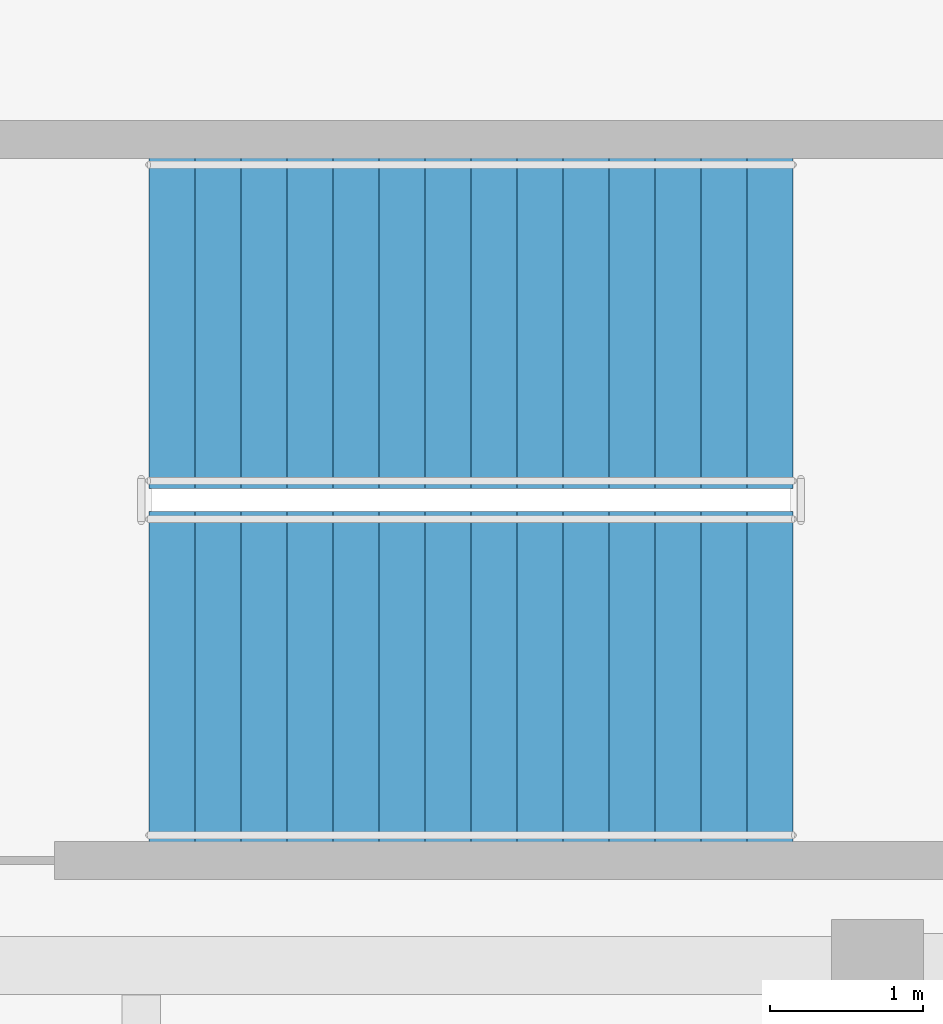
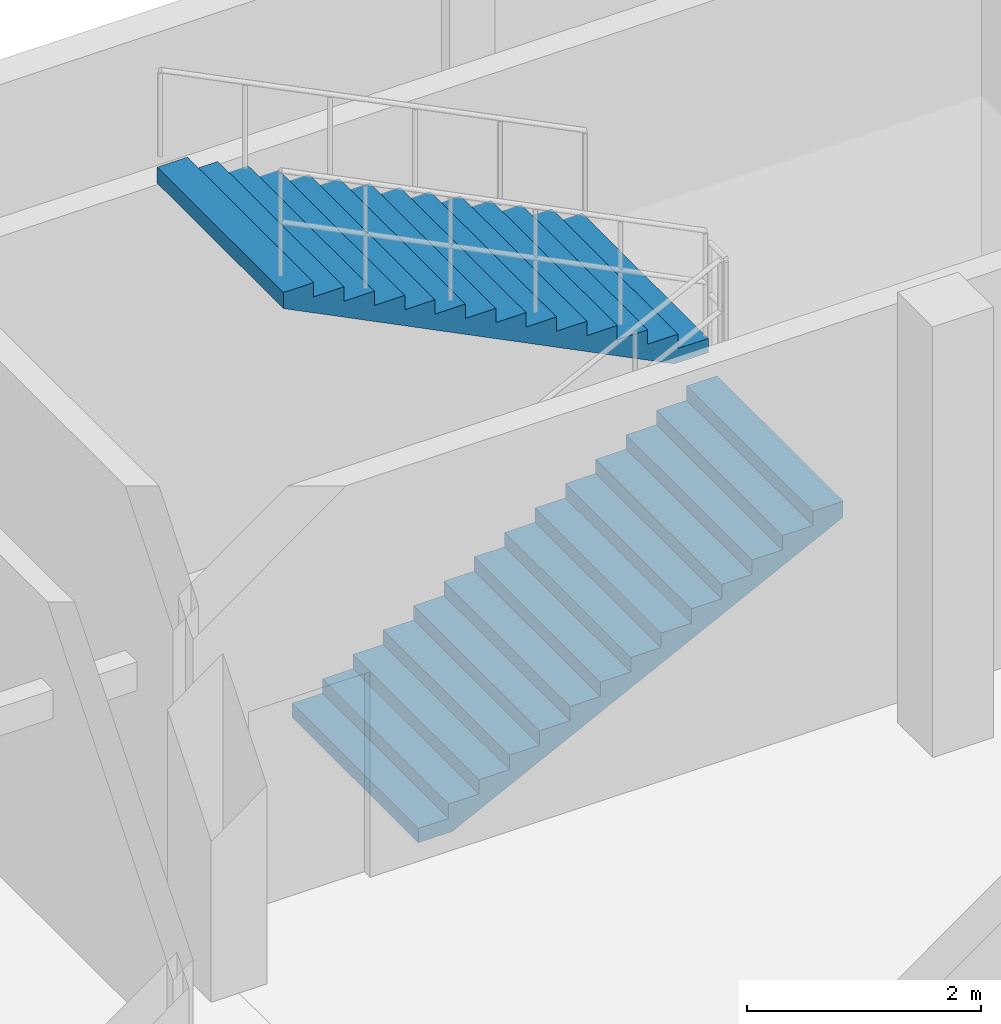
# One storey, part 36 of 41: 2 stair flights, 1 element without a shape of its own.
"""IFC4 building model written with IfcOpenShell, lengths in metres."""

from ifc_helpers import new_model, si_unit, direction, frame, origin, place, context, subcontext, project, spatial, polyline, outline, extrude, material, type_object, element, aggregate, save


model = new_model("IFC4")

# Units and contexts
model_context = context("Model", 3, precision=1e-05, world=origin(), true_north=direction((0.0, 1.0)))
body_context = subcontext(model_context, "Body", "Model", "MODEL_VIEW")
ifc_project = project(units=[si_unit("LENGTHUNIT", "METRE"), si_unit("AREAUNIT", "SQUARE_METRE"), si_unit("VOLUMEUNIT", "CUBIC_METRE"), si_unit("PLANEANGLEUNIT", "RADIAN"), si_unit("MASSUNIT", "GRAM", prefix="KILO")], contexts=[model_context])

# Site, building, storey
site_placement = place(None, origin())
site = spatial("IfcSite", under=ifc_project, at=site_placement, CompositionType="ELEMENT")
building_placement = place(site_placement, origin())
building = spatial("IfcBuilding", under=site, at=building_placement, Name="Kalluvel Institute of Natural Sciences", CompositionType="ELEMENT")
storey_placement = place(building_placement, frame((0.0, 0.0, 32.39990234375)))
storey = spatial("IfcBuildingStorey", under=building, at=storey_placement, Name="L07", CompositionType="ELEMENT", Elevation=32.39990234375)

# Stair, stair flights
ifc_material = material(Name="Concrete M40", Category="concrete")
stair_type = type_object("IfcStairType", Name="STR-ST12-45", PredefinedType="HALF_TURN_STAIR", material=ifc_material)
stair_placement = place(storey_placement, origin())
stair = element("IfcStair", 1, at=stair_placement, inside=storey, type_object=stair_type, Name="L07 Wet Wing East Protected Exit Stair ST2", PredefinedType="HALF_TURN_STAIR")
stair_flight_type = type_object("IfcStairFlightType", Name="STF-ST12-45", PredefinedType="STRAIGHT", material=ifc_material)
stair_flight_1_placement = place(storey_placement, frame((66.85009765625, 121.47998046875, 0.0), z_axis=(0.0, 0.0, 1.0), x_axis=(1.0, 0.0, 0.0)))
stair_flight_1 = element("IfcStairFlight", 2, at=stair_flight_1_placement, type_object=stair_flight_type, Name="S1-45 flight 1", NumberOfRisers=15, NumberOfTreads=14, PredefinedType="STRAIGHT", RiserHeight=0.15, TreadLength=0.3, context=body_context, shape_type="SweptSolid", body=[
    extrude(outline(polyline([(0.0, 0.0), (0.0, 0.14990234375), (0.300048828125, 0.14990234375), (0.300048828125, 0.300048828125), (0.60009765625, 0.300048828125), (0.60009765625, 0.449951171875), (0.89990234375, 0.449951171875), (0.89990234375, 0.60009765625), (1.199951171875, 0.60009765625), (1.199951171875, 0.75), (1.5, 0.75), (1.5, 0.89990234375), (1.800048828125, 0.89990234375), (1.800048828125, 1.050048828125), (2.10009765625, 1.050048828125), (2.10009765625, 1.199951171875), (2.39990234375, 1.199951171875), (2.39990234375, 1.35009765625), (2.699951171875, 1.35009765625), (2.699951171875, 1.5), (3.0, 1.5), (3.0, 1.64990234375), (3.300048828125, 1.64990234375), (3.300048828125, 1.800048828125), (3.60009765625, 1.800048828125), (3.60009765625, 1.949951171875), (3.89990234375, 1.949951171875), (3.89990234375, 2.10009765625), (4.199951171875, 2.10009765625), (4.199951171875, 2.25), (4.199951171875, 1.932373046875), (0.335205078125, 0.0), (0.0, 0.0)])), frame((0.0, 1.080078125, 0.0), z_axis=(0.0, -1.0, 0.0), x_axis=(1.0, 0.0, 0.0)), (0.0, 0.0, 1.0), 2.159912109375),
])
stair_flight_2_placement = place(storey_placement, frame((71.050048828125, 123.7900390625, 2.25), z_axis=(0.0, 0.0, 1.0), x_axis=(-1.0, 0.0, 0.0)))
stair_flight_2 = element("IfcStairFlight", 3, at=stair_flight_2_placement, type_object=stair_flight_type, Name="S1-45 flight 2", NumberOfRisers=15, NumberOfTreads=14, PredefinedType="STRAIGHT", RiserHeight=0.15, TreadLength=0.3, context=body_context, shape_type="SweptSolid", body=[
    extrude(outline(polyline([(0.0, 0.0), (0.0, 0.14990234375), (0.300048828125, 0.14990234375), (0.300048828125, 0.300048828125), (0.60009765625, 0.300048828125), (0.60009765625, 0.449951171875), (0.89990234375, 0.449951171875), (0.89990234375, 0.60009765625), (1.199951171875, 0.60009765625), (1.199951171875, 0.75), (1.5, 0.75), (1.5, 0.89990234375), (1.800048828125, 0.89990234375), (1.800048828125, 1.050048828125), (2.10009765625, 1.050048828125), (2.10009765625, 1.199951171875), (2.39990234375, 1.199951171875), (2.39990234375, 1.35009765625), (2.699951171875, 1.35009765625), (2.699951171875, 1.5), (3.0, 1.5), (3.0, 1.64990234375), (3.300048828125, 1.64990234375), (3.300048828125, 1.800048828125), (3.60009765625, 1.800048828125), (3.60009765625, 1.949951171875), (3.89990234375, 1.949951171875), (3.89990234375, 2.10009765625), (4.199951171875, 2.10009765625), (4.199951171875, 2.25), (4.199951171875, 1.932373046875), (0.335205078125, 0.0), (0.0, 0.0)])), frame((0.0, 1.080078125, 0.0), z_axis=(0.0, -1.0, 0.0), x_axis=(1.0, 0.0, 0.0)), (0.0, 0.0, 1.0), 2.159912109375),
])
aggregate(stair, [stair_flight_1, stair_flight_2])

save(model, "model.ifc")
